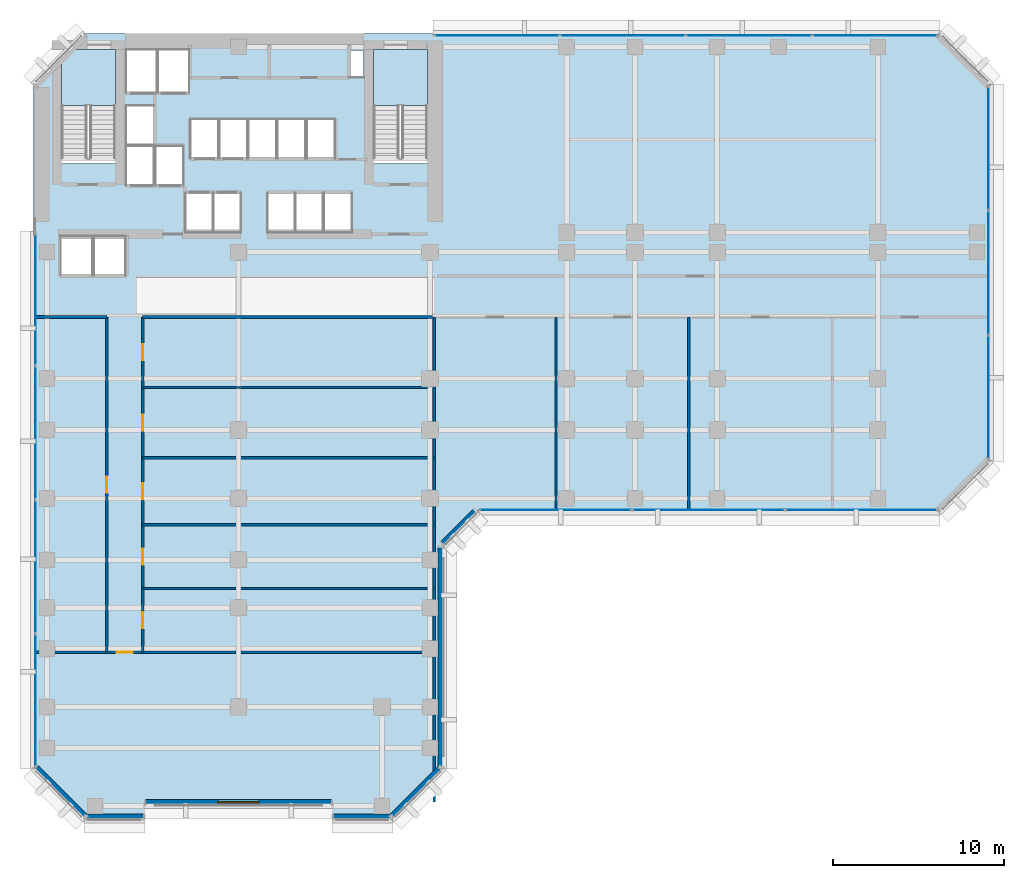
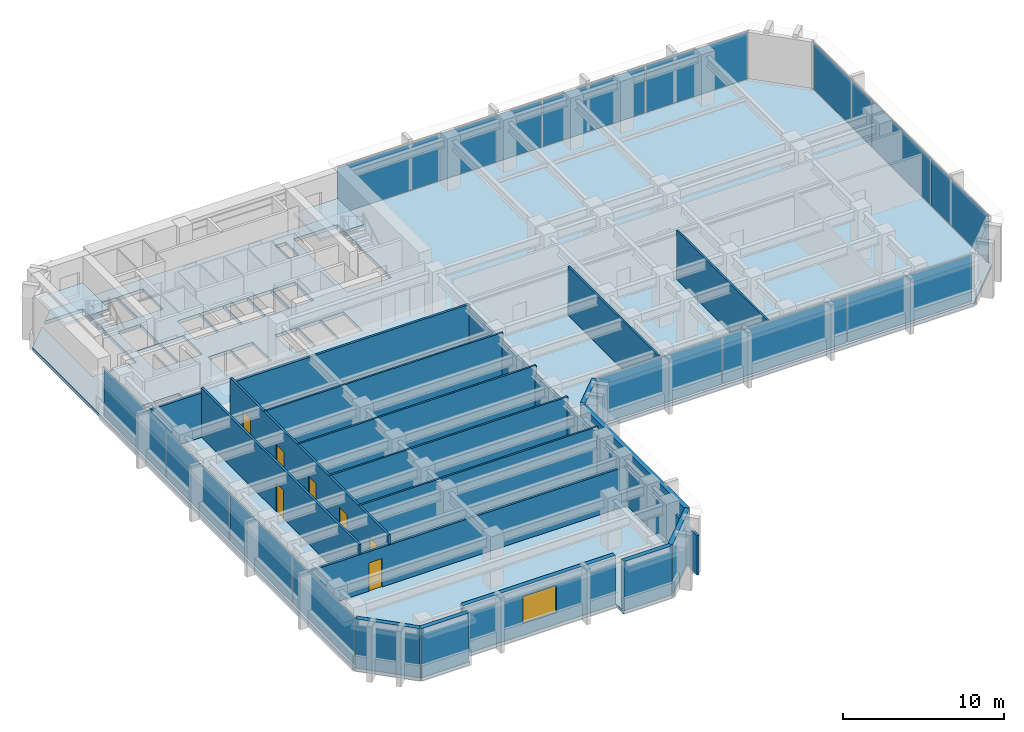
# One storey, part 6 of 13: 19 walls, 14 plates, 7 doors, 3 slabs, 1 window, 8 openings, 6 elements without a shape of their own.
"""IFC4 building model written with IfcOpenShell, lengths in metres."""

from ifc_helpers import new_model, si_unit, direction, frame, frame_2d, origin, origin_2d, place, context, subcontext, project, spatial, polyline, rectangle, outline, extrude, material, layer, layer_set, type_object, element, fill, aggregate, save


model = new_model("IFC4")

# Units and contexts
model_context = context("Model", 3, precision=1e-05, world=origin(), true_north=direction((0.0, 1.0)))
body_context = subcontext(model_context, "Body", "Model", "MODEL_VIEW")
ifc_project = project(units=[si_unit("LENGTHUNIT", "METRE"), si_unit("AREAUNIT", "SQUARE_METRE"), si_unit("VOLUMEUNIT", "CUBIC_METRE"), si_unit("PLANEANGLEUNIT", "RADIAN"), si_unit("MASSUNIT", "GRAM", prefix="KILO")], contexts=[model_context])

# Site, building, storey
site_placement = place(None, origin())
site = spatial("IfcSite", under=ifc_project, at=site_placement, CompositionType="ELEMENT")
building_placement = place(site_placement, origin())
building = spatial("IfcBuilding", under=site, at=building_placement, Name="Kefirva Bronze Tower", CompositionType="ELEMENT")
storey_placement = place(building_placement, frame((0.0, 0.0, 77.8798828125)))
storey = spatial("IfcBuildingStorey", under=building, at=storey_placement, Name="L18", CompositionType="ELEMENT", Elevation=77.8798828125)

# Stair, slab
ifc_material_1 = material(Name="Concrete C40/50", Category="concrete")
stair_type = type_object("IfcStairType", Name="RC Dogleg Protected Stair 24R", PredefinedType="HALF_TURN_STAIR", material=ifc_material_1)
stair_1_placement = place(storey_placement, origin())
stair_1 = element("IfcStair", 1, at=stair_1_placement, inside=storey, type_object=stair_type, Name="L18 Protected Exit Stair 1", PredefinedType="HALF_TURN_STAIR")
ifc_layer_1 = layer(ifc_material_1, 0.199951171875, Name="Concrete C40/50")
ifc_layer_set_1 = layer_set([ifc_layer_1], Name="Concrete C40/50")
slab_type_1 = type_object("IfcSlabType", Name="RC Stair Landing Slab 200mm", PredefinedType="LANDING", material=ifc_layer_set_1)
slab_1_placement = place(storey_placement, frame((0.0, 0.0, 1.780029296875)))
slab_1 = element("IfcSlab", 2, at=slab_1_placement, type_object=slab_type_1, Name="ST-1 landing 1", PredefinedType="LANDING", context=body_context, shape_type="SweptSolid", body=[
    extrude(outline(polyline([(4.800048828125, 41.780029296875), (4.800048828125, 45.050048828125), (1.64990234375, 45.050048828125), (1.64990234375, 41.780029296875), (4.800048828125, 41.780029296875)])), origin(), (0.0, 0.0, 1.0), 0.2001953125),
])
aggregate(stair_1, [slab_1])

stair_2_placement = place(storey_placement, origin())
stair_2 = element("IfcStair", 3, at=stair_2_placement, inside=storey, type_object=stair_type, Name="L18 Protected Exit Stair 2", PredefinedType="HALF_TURN_STAIR")
slab_2_placement = place(storey_placement, frame((0.0, 0.0, 1.780029296875)))
slab_2 = element("IfcSlab", 4, at=slab_2_placement, type_object=slab_type_1, Name="ST-2 landing 1", PredefinedType="LANDING", context=body_context, shape_type="SweptSolid", body=[
    extrude(outline(polyline([(23.050048828125, 41.780029296875), (23.050048828125, 45.050048828125), (19.89990234375, 45.050048828125), (19.89990234375, 41.780029296875), (23.050048828125, 41.780029296875)])), origin(), (0.0, 0.0, 1.0), 0.2001953125),
])
aggregate(stair_2, [slab_2])

# Slab
ifc_layer_2 = layer(ifc_material_1, 0.25, Name="Concrete C40/50")
ifc_layer_set_2 = layer_set([ifc_layer_2], Name="Concrete C40/50")
slab_type_2 = type_object("IfcSlabType", Name="RC Tower Floor Slab 250mm", PredefinedType="FLOOR", material=ifc_layer_set_2)
slab_3_placement = place(storey_placement, frame((0.0, 0.0, -0.25)))
element("IfcSlab", 5, at=slab_3_placement, inside=storey, type_object=slab_type_2, Name="L18 Structural Floor Slab", PredefinedType="FLOOR", context=body_context, shape_type="SweptSolid", body=[
    extrude(outline(polyline([(0.0, 3.0), (0.0, 43.0), (1.64990234375, 44.64990234375), (1.64990234375, 38.39990234375), (4.800048828125, 38.39990234375), (4.800048828125, 45.050048828125), (2.050048828125, 45.050048828125), (3.0, 46.0), (53.0, 46.0), (56.0, 43.0), (56.0, 21.0), (53.0, 18.0), (26.0, 18.0), (24.0, 16.0), (24.0, 3.0), (21.0, 0.0), (17.5, 0.0), (17.5, 0.85009765625), (6.5, 0.85009765625), (6.5, 0.0), (3.0, 0.0), (0.0, 3.0)]), holes=[polyline([(19.89990234375, 38.39990234375), (23.050048828125, 38.39990234375), (23.050048828125, 45.050048828125), (19.89990234375, 45.050048828125), (19.89990234375, 38.39990234375)]), polyline([(18.52001953125, 43.419921875), (19.320068359375, 43.419921875), (19.320068359375, 45.0), (18.52001953125, 45.0), (18.52001953125, 43.419921875)]), polyline([(17.0, 34.35009765625), (18.64990234375, 34.35009765625), (18.64990234375, 36.64990234375), (17.0, 36.64990234375), (17.0, 34.35009765625)]), polyline([(17.64990234375, 38.679931640625), (17.64990234375, 40.97998046875), (16.0, 40.97998046875), (16.0, 38.679931640625), (17.64990234375, 38.679931640625)]), polyline([(16.949951171875, 34.35009765625), (16.949951171875, 36.64990234375), (15.35009765625, 36.64990234375), (15.35009765625, 34.35009765625), (16.949951171875, 34.35009765625)]), polyline([(15.929931640625, 38.679931640625), (15.929931640625, 40.97998046875), (14.300048828125, 40.97998046875), (14.300048828125, 38.679931640625), (15.929931640625, 38.679931640625)]), polyline([(15.300048828125, 34.35009765625), (15.300048828125, 36.64990234375), (13.699951171875, 36.64990234375), (13.699951171875, 34.35009765625), (15.300048828125, 34.35009765625)]), polyline([(14.22998046875, 38.679931640625), (14.22998046875, 40.97998046875), (12.60009765625, 40.97998046875), (12.60009765625, 38.679931640625), (14.22998046875, 38.679931640625)]), polyline([(10.89990234375, 38.679931640625), (12.530029296875, 38.679931640625), (12.530029296875, 40.97998046875), (10.89990234375, 40.97998046875), (10.89990234375, 38.679931640625)]), polyline([(12.139892578125, 34.35009765625), (12.139892578125, 36.64990234375), (10.5400390625, 36.64990234375), (10.5400390625, 34.35009765625), (12.139892578125, 34.35009765625)]), polyline([(10.830078125, 38.679931640625), (10.830078125, 40.97998046875), (9.199951171875, 40.97998046875), (9.199951171875, 38.679931640625), (10.830078125, 38.679931640625)]), polyline([(10.5, 34.35009765625), (10.5, 36.64990234375), (8.89990234375, 36.64990234375), (8.89990234375, 34.35009765625), (10.5, 34.35009765625)]), polyline([(7.300048828125, 42.550048828125), (9.1201171875, 42.550048828125), (9.1201171875, 45.050048828125), (7.300048828125, 45.050048828125), (7.300048828125, 42.550048828125)]), polyline([(7.139892578125, 37.10009765625), (8.780029296875, 37.10009765625), (8.780029296875, 39.39990234375), (7.139892578125, 39.39990234375), (7.139892578125, 37.10009765625)]), polyline([(5.419921875, 42.550048828125), (7.239990234375, 42.550048828125), (7.239990234375, 45.050048828125), (5.419921875, 45.050048828125), (5.419921875, 42.550048828125)]), polyline([(7.06005859375, 39.47998046875), (7.06005859375, 41.780029296875), (5.419921875, 41.780029296875), (5.419921875, 39.47998046875), (7.06005859375, 39.47998046875)]), polyline([(5.419921875, 37.10009765625), (7.06005859375, 37.10009765625), (7.06005859375, 39.39990234375), (5.419921875, 39.39990234375), (5.419921875, 37.10009765625)]), polyline([(5.39990234375, 31.85009765625), (5.39990234375, 34.14990234375), (3.550048828125, 34.14990234375), (3.550048828125, 31.85009765625), (5.39990234375, 31.85009765625)]), polyline([(3.449951171875, 31.85009765625), (3.449951171875, 34.14990234375), (1.60009765625, 34.14990234375), (1.60009765625, 31.85009765625), (3.449951171875, 31.85009765625)])]), origin(), (0.0, 0.0, 1.0), 0.25),
])

# Curtain wall, plates
ifc_material_2 = material(Name="Bronze anodised aluminium", Category="aluminium")
ifc_layer_3 = layer(ifc_material_2, 0.199951171875, Name="Bronze anodised aluminium")
ifc_layer_set_3 = layer_set([ifc_layer_3], Name="Bronze anodised aluminium")
curtain_wall_type = type_object("IfcCurtainWallType", Name="Unitised Bronze Ribbon Curtain Wall Zone 1", PredefinedType="USERDEFINED", material=ifc_layer_set_3)
curtain_wall_1_placement = place(storey_placement, origin())
curtain_wall_1 = element("IfcCurtainWall", 6, at=curtain_wall_1_placement, inside=storey, type_object=curtain_wall_type, Name="L18 Curtain Wall 1", ObjectType="UNITISED CURTAIN WALL", PredefinedType="USERDEFINED")
ifc_material_3 = material(Name="Laminated low-E double glazing", Category="glass")
ifc_layer_4 = layer(ifc_material_3, 0.031982421875, Name="Laminated low-E double glazing")
ifc_layer_set_4 = layer_set([ifc_layer_4], Name="Laminated low-E double glazing")
plate_type = type_object("IfcPlateType", Name="Solar-Control Low-E Vision Panel 32mm", PredefinedType="CURTAIN_PANEL", material=ifc_layer_set_4)
plate_1_placement = place(storey_placement, frame((30.555419921875, 18.1201171875, 0.0751953125), z_axis=(0.0, 0.0, 1.0), x_axis=(1.0, 0.0, 0.0)))
plate_1 = element("IfcPlate", 7, at=plate_1_placement, type_object=plate_type, Name="CW-01 panel 1.1", PredefinedType="CURTAIN_PANEL", context=body_context, shape_type="SweptSolid", body=[
    extrude(rectangle(XDim=8.850830078125, YDim=0.031982421875, at=origin_2d()), origin(), (0.0, 0.0, 1.0), 3.56005859375),
])
plate_2_placement = place(storey_placement, frame((39.5, 18.1201171875, 0.0751953125), z_axis=(0.0, 0.0, 1.0), x_axis=(1.0, 0.0, 0.0)))
plate_2 = element("IfcPlate", 8, at=plate_2_placement, type_object=plate_type, Name="CW-01 panel 2.1", PredefinedType="CURTAIN_PANEL", context=body_context, shape_type="SweptSolid", body=[
    extrude(rectangle(XDim=8.888427734375, YDim=0.031982421875, at=origin_2d()), origin(), (0.0, 0.0, 1.0), 3.56005859375),
])
plate_3_placement = place(storey_placement, frame((48.444580078125, 18.1201171875, 0.0751953125), z_axis=(0.0, 0.0, 1.0), x_axis=(1.0, 0.0, 0.0)))
plate_3 = element("IfcPlate", 9, at=plate_3_placement, type_object=plate_type, Name="CW-01 panel 3.1", PredefinedType="CURTAIN_PANEL", context=body_context, shape_type="SweptSolid", body=[
    extrude(rectangle(XDim=8.850830078125, YDim=0.031982421875, at=origin_2d()), origin(), (0.0, 0.0, 1.0), 3.56005859375),
])
aggregate(curtain_wall_1, [plate_1, plate_2, plate_3])

curtain_wall_2_placement = place(storey_placement, origin())
curtain_wall_2 = element("IfcCurtainWall", 10, at=curtain_wall_2_placement, inside=storey, type_object=curtain_wall_type, Name="L18 Curtain Wall 2", ObjectType="UNITISED CURTAIN WALL", PredefinedType="USERDEFINED")
plate_4_placement = place(storey_placement, frame((55.8798828125, 24.72216796875, 0.0751953125), z_axis=(0.0, 0.0, 1.0), x_axis=(0.0, 1.0, 0.0)))
plate_4 = element("IfcPlate", 11, at=plate_4_placement, type_object=plate_type, Name="CW-01 panel 1.1", PredefinedType="CURTAIN_PANEL", context=body_context, shape_type="SweptSolid", body=[
    extrude(rectangle(XDim=7.18408203125, YDim=0.031982421875, at=origin_2d()), origin(), (0.0, 0.0, 1.0), 3.56005859375),
])
plate_5_placement = place(storey_placement, frame((55.8798828125, 32.0, 0.0751953125), z_axis=(0.0, 0.0, 1.0), x_axis=(0.0, 1.0, 0.0)))
plate_5 = element("IfcPlate", 12, at=plate_5_placement, type_object=plate_type, Name="CW-01 panel 2.1", PredefinedType="CURTAIN_PANEL", context=body_context, shape_type="SweptSolid", body=[
    extrude(rectangle(XDim=7.2216796875, YDim=0.031982421875, at=origin_2d()), origin(), (0.0, 0.0, 1.0), 3.56005859375),
])
plate_6_placement = place(storey_placement, frame((55.8798828125, 39.27783203125, 0.0751953125), z_axis=(0.0, 0.0, 1.0), x_axis=(0.0, 1.0, 0.0)))
plate_6 = element("IfcPlate", 13, at=plate_6_placement, type_object=plate_type, Name="CW-01 panel 3.1", PredefinedType="CURTAIN_PANEL", context=body_context, shape_type="SweptSolid", body=[
    extrude(rectangle(XDim=7.18408203125, YDim=0.031982421875, at=origin_2d()), origin(), (0.0, 0.0, 1.0), 3.56005859375),
])
aggregate(curtain_wall_2, [plate_4, plate_5, plate_6])

curtain_wall_3_placement = place(storey_placement, origin())
curtain_wall_3 = element("IfcCurtainWall", 14, at=curtain_wall_3_placement, inside=storey, type_object=curtain_wall_type, Name="L18 Curtain Wall 3", ObjectType="UNITISED CURTAIN WALL", PredefinedType="USERDEFINED")
plate_7_placement = place(storey_placement, frame((49.233642578125, 45.8798828125, 0.0751953125), z_axis=(0.0, 0.0, 1.0), x_axis=(-1.0, 0.0, 0.0)))
plate_7 = element("IfcPlate", 15, at=plate_7_placement, type_object=plate_type, Name="CW-01 panel 1.1", PredefinedType="CURTAIN_PANEL", context=body_context, shape_type="SweptSolid", body=[
    extrude(rectangle(XDim=7.2724609375, YDim=0.031982421875, at=origin_2d()), origin(), (0.0, 0.0, 1.0), 3.56005859375),
])
plate_8_placement = place(storey_placement, frame((41.867431640625, 45.8798828125, 0.0751953125), z_axis=(0.0, 0.0, 1.0), x_axis=(-1.0, 0.0, 0.0)))
plate_8 = element("IfcPlate", 16, at=plate_8_placement, type_object=plate_type, Name="CW-01 panel 2.1", PredefinedType="CURTAIN_PANEL", context=body_context, shape_type="SweptSolid", body=[
    extrude(rectangle(XDim=7.31005859375, YDim=0.031982421875, at=origin_2d()), origin(), (0.0, 0.0, 1.0), 3.56005859375),
])
plate_9_placement = place(storey_placement, frame((34.482421875, 45.8798828125, 0.0751953125), z_axis=(0.0, 0.0, 1.0), x_axis=(-1.0, 0.0, 0.0)))
plate_9 = element("IfcPlate", 17, at=plate_9_placement, type_object=plate_type, Name="CW-01 panel 3.1", PredefinedType="CURTAIN_PANEL", context=body_context, shape_type="SweptSolid", body=[
    extrude(rectangle(XDim=7.31005859375, YDim=0.031982421875, at=origin_2d()), origin(), (0.0, 0.0, 1.0), 3.56005859375),
])
plate_10_placement = place(storey_placement, frame((27.1162109375, 45.8798828125, 0.0751953125), z_axis=(0.0, 0.0, 1.0), x_axis=(-1.0, 0.0, 0.0)))
plate_10 = element("IfcPlate", 18, at=plate_10_placement, type_object=plate_type, Name="CW-01 panel 4.1", PredefinedType="CURTAIN_PANEL", context=body_context, shape_type="SweptSolid", body=[
    extrude(rectangle(XDim=7.2724609375, YDim=0.031982421875, at=origin_2d()), origin(), (0.0, 0.0, 1.0), 3.56005859375),
])
aggregate(curtain_wall_3, [plate_7, plate_8, plate_9, plate_10])

curtain_wall_4_placement = place(storey_placement, origin())
curtain_wall_4 = element("IfcCurtainWall", 19, at=curtain_wall_4_placement, inside=storey, type_object=curtain_wall_type, Name="L18 Curtain Wall 4", ObjectType="UNITISED CURTAIN WALL", PredefinedType="USERDEFINED")
plate_11_placement = place(storey_placement, frame((0.1201171875, 30.458740234375, 0.0751953125), z_axis=(0.0, 0.0, 1.0), x_axis=(0.0, -1.0, 0.0)))
plate_11 = element("IfcPlate", 20, at=plate_11_placement, type_object=plate_type, Name="CW-01 panel 1.1", PredefinedType="CURTAIN_PANEL", context=body_context, shape_type="SweptSolid", body=[
    extrude(rectangle(XDim=7.722412109375, YDim=0.031982421875, at=origin_2d()), origin(), (0.0, 0.0, 1.0), 3.56005859375),
])
plate_12_placement = place(storey_placement, frame((0.1201171875, 22.642578125, 0.0751953125), z_axis=(0.0, 0.0, 1.0), x_axis=(0.0, -1.0, 0.0)))
plate_12 = element("IfcPlate", 21, at=plate_12_placement, type_object=plate_type, Name="CW-01 panel 2.1", PredefinedType="CURTAIN_PANEL", context=body_context, shape_type="SweptSolid", body=[
    extrude(rectangle(XDim=7.760009765625, YDim=0.031982421875, at=origin_2d()), origin(), (0.0, 0.0, 1.0), 3.56005859375),
])
plate_13_placement = place(storey_placement, frame((0.1201171875, 14.8076171875, 0.0751953125), z_axis=(0.0, 0.0, 1.0), x_axis=(0.0, -1.0, 0.0)))
plate_13 = element("IfcPlate", 22, at=plate_13_placement, type_object=plate_type, Name="CW-01 panel 3.1", PredefinedType="CURTAIN_PANEL", context=body_context, shape_type="SweptSolid", body=[
    extrude(rectangle(XDim=7.760009765625, YDim=0.031982421875, at=origin_2d()), origin(), (0.0, 0.0, 1.0), 3.56005859375),
])
plate_14_placement = place(storey_placement, frame((0.1201171875, 6.9912109375, 0.0751953125), z_axis=(0.0, 0.0, 1.0), x_axis=(0.0, -1.0, 0.0)))
plate_14 = element("IfcPlate", 23, at=plate_14_placement, type_object=plate_type, Name="CW-01 panel 4.1", PredefinedType="CURTAIN_PANEL", context=body_context, shape_type="SweptSolid", body=[
    extrude(rectangle(XDim=7.722412109375, YDim=0.031982421875, at=origin_2d()), origin(), (0.0, 0.0, 1.0), 3.56005859375),
])
aggregate(curtain_wall_4, [plate_11, plate_12, plate_13, plate_14])

# Walls
ifc_material_4 = material(Name="Gypsum acoustic partition")
ifc_layer_5 = layer(ifc_material_4, 0.1298828125, Name="Gypsum acoustic partition")
ifc_layer_set_5 = layer_set([ifc_layer_5], Name="Gypsum acoustic partition")
wall_type_1 = type_object("IfcWallType", Name="Acoustic Office Partition 130mm", PredefinedType="PARTITIONING", material=ifc_layer_set_5)
for number, where, z_axis, x_axis, name in (
    (24, (6.39990234375, 13.52392578125, 0.0), (0.0, 0.0, 1.0), (1.0, 0.0, 0.0), "L18 Partition W-L18-SED1"),
    (25, (6.39990234375, 17.248046875, 0.0), (0.0, 0.0, 1.0), (1.0, 0.0, 0.0), "L18 Partition W-L18-SED2"),
    (26, (6.39990234375, 21.16796875, 0.0), (0.0, 0.0, 1.0), (1.0, 0.0, 0.0), "L18 Partition W-L18-SED3"),
    (27, (6.39990234375, 25.283935546875, 0.0), (0.0, 0.0, 1.0), (1.0, 0.0, 0.0), "L18 Partition W-L18-SED4"),
):
    element("IfcWall", number, at=place(storey_placement, frame(where, z_axis=z_axis, x_axis=x_axis)), inside=storey, type_object=wall_type_1, Name=name, PredefinedType="PARTITIONING", context=body_context, shape_type="SweptSolid", body=[
        extrude(rectangle(XDim=17.050048828125, YDim=0.1298828125, at=frame_2d((8.52490234375, 0.0))), origin(), (0.0, 0.0, 1.0), 3.710205078125),
    ])
for number, where, z_axis, x_axis, name in (
    (28, (30.569091796875, 18.18994140625, 0.0), (0.0, 0.0, 1.0), (0.0, 1.0, 0.0), "L18 Partition W-L18-ESD1"),
    (29, (38.335693359375, 18.18994140625, 0.0), (0.0, 0.0, 1.0), (0.0, 1.0, 0.0), "L18 Partition W-L18-ESD2"),
):
    element("IfcWall", number, at=place(storey_placement, frame(where, z_axis=z_axis, x_axis=x_axis)), inside=storey, type_object=wall_type_1, Name=name, PredefinedType="PARTITIONING", context=body_context, shape_type="SweptSolid", body=[
        extrude(rectangle(XDim=11.2099609375, YDim=0.1298828125, at=frame_2d((5.60498046875, 0.0))), origin(), (0.0, 0.0, 1.0), 3.710205078125),
    ])
ifc_material_5 = material(Name="Precast concrete C40/50", Category="concrete")
ifc_layer_6 = layer(ifc_material_5, 0.320068359375, Name="Precast concrete C40/50")
ifc_layer_set_6 = layer_set([ifc_layer_6], Name="Precast concrete C40/50")
wall_type_2 = type_object("IfcWallType", Name="Precast Insulated Exterior Wall 320mm", PredefinedType="SOLIDWALL", material=ifc_layer_set_6)
wall_1_placement = place(storey_placement, frame((3.054931640625, 0.159912109375, 0.0), z_axis=(0.0, 0.0, 1.0), x_axis=(1.0, 0.0, 0.0)))
element("IfcWall", 30, at=wall_1_placement, inside=storey, type_object=wall_type_2, Name="L18 Exterior Facade Wall 1", PredefinedType="SOLIDWALL", context=body_context, shape_type="SweptSolid", body=[
    extrude(rectangle(XDim=3.39013671875, YDim=0.320068359375, at=frame_2d((1.695068359375, 0.0))), origin(), (0.0, 0.0, 1.0), 3.710205078125),
])

# Wall, opening, window
wall_2_placement = place(storey_placement, frame((6.554931640625, 1.010009765625, 0.0), z_axis=(0.0, 0.0, 1.0), x_axis=(1.0, 0.0, 0.0)))
wall_2 = element("IfcWall", 31, at=wall_2_placement, inside=storey, type_object=wall_type_2, Name="L18 Exterior Facade Wall 2", PredefinedType="SOLIDWALL", context=body_context, shape_type="SweptSolid", body=[
    extrude(rectangle(XDim=10.89013671875, YDim=0.320068359375, at=frame_2d((5.445068359375, 0.0))), origin(), (0.0, 0.0, 1.0), 3.710205078125),
])
opening_1_placement = place(wall_2_placement, frame((4.2451171875, 0.0, 0.85009765625)))
opening_1 = element("IfcOpeningElement", 32, at=opening_1_placement, cuts=wall_2, Name="Opening WN-01", PredefinedType="OPENING", context=body_context, shape_type="SweptSolid", body=[
    extrude(rectangle(XDim=2.39990234375, YDim=2.050048828125, at=frame_2d((1.199951171875, 1.02490234375))), frame((0.0, 0.169921875, 0.0), z_axis=(0.0, -1.0, 0.0), x_axis=(1.0, 0.0, 0.0)), (0.0, 0.0, 1.0), 0.340087890625),
])
window_type = type_object("IfcWindowType", Name="Streamline Ribbon Window 2400x2050", PartitioningType="SINGLE_PANEL", PredefinedType="WINDOW", material=ifc_material_3)
window_placement = place(opening_1_placement, origin())
window = element("IfcWindow", 33, at=window_placement, inside=storey, type_object=window_type, Name="L18 Ribbon Window 2", OverallHeight=2.050048828125, OverallWidth=2.39990234375, PartitioningType="SINGLE_PANEL", PredefinedType="WINDOW", context=body_context, shape_type="SweptSolid", body=[
    extrude(rectangle(XDim=2.39990234375, YDim=2.050048828125, at=frame_2d((1.199951171875, 1.02490234375))), frame((0.0, 0.030029296875, 0.0), z_axis=(0.0, -1.0, 0.0), x_axis=(1.0, 0.0, 0.0)), (0.0, 0.0, 1.0), 0.06005859375),
])
fill(opening_1, window)

# Walls
wall_3_placement = place(storey_placement, frame((17.554931640625, 0.159912109375, 0.0), z_axis=(0.0, 0.0, 1.0), x_axis=(1.0, 0.0, 0.0)))
element("IfcWall", 34, at=wall_3_placement, inside=storey, type_object=wall_type_2, Name="L18 Exterior Facade Wall 3", PredefinedType="SOLIDWALL", context=body_context, shape_type="SweptSolid", body=[
    extrude(rectangle(XDim=3.39013671875, YDim=0.320068359375, at=frame_2d((1.695068359375, 0.0))), origin(), (0.0, 0.0, 1.0), 3.710205078125),
])
wall_4_placement = place(storey_placement, frame((20.92578125, 0.152099609375, 0.0), z_axis=(0.0, 0.0, 1.0), x_axis=(0.707106781187, 0.707106781187, 0.0)))
element("IfcWall", 35, at=wall_4_placement, inside=storey, type_object=wall_type_2, Name="L18 Exterior Facade Wall 4", PredefinedType="SOLIDWALL", context=body_context, shape_type="SweptSolid", body=[
    extrude(rectangle(XDim=4.132568359375, YDim=0.320068359375, at=frame_2d((2.06640625, 0.0))), origin(), (0.0, 0.0, 1.0), 3.710205078125),
])
wall_5_placement = place(storey_placement, frame((23.840087890625, 3.054931640625, 0.0), z_axis=(0.0, 0.0, 1.0), x_axis=(0.0, 1.0, 0.0)))
element("IfcWall", 36, at=wall_5_placement, inside=storey, type_object=wall_type_2, Name="L18 Exterior Facade Wall 5", PredefinedType="SOLIDWALL", context=body_context, shape_type="SweptSolid", body=[
    extrude(rectangle(XDim=12.89013671875, YDim=0.320068359375, at=frame_2d((6.445068359375, 0.0))), origin(), (0.0, 0.0, 1.0), 3.710205078125),
])
wall_6_placement = place(storey_placement, frame((23.92578125, 16.152099609375, 0.0), z_axis=(0.0, 0.0, 1.0), x_axis=(0.707106781187, 0.707106781187, 0.0)))
element("IfcWall", 37, at=wall_6_placement, inside=storey, type_object=wall_type_2, Name="L18 Exterior Facade Wall 6", PredefinedType="SOLIDWALL", context=body_context, shape_type="SweptSolid", body=[
    extrude(rectangle(XDim=2.71826171875, YDim=0.320068359375, at=frame_2d((1.359130859375, 0.0))), origin(), (0.0, 0.0, 1.0), 3.710205078125),
])
wall_7_placement = place(storey_placement, frame((0.152099609375, 3.07421875, 0.0), z_axis=(0.0, 0.0, 1.0), x_axis=(0.707106781187, -0.707106781187, 0.0)))
element("IfcWall", 38, at=wall_7_placement, inside=storey, type_object=wall_type_2, Name="L18 Exterior Facade Wall 10", PredefinedType="SOLIDWALL", context=body_context, shape_type="SweptSolid", body=[
    extrude(rectangle(XDim=4.132568359375, YDim=0.320068359375, at=frame_2d((2.06640625, 0.0))), origin(), (0.0, 0.0, 1.0), 3.710205078125),
])

# Wall, opening, door
ifc_layer_7 = layer(ifc_material_4, 0.159912109375, Name="Gypsum acoustic partition")
ifc_layer_set_7 = layer_set([ifc_layer_7], Name="Gypsum acoustic partition")
wall_type_3 = type_object("IfcWallType", Name="Protected Corridor Partition 160mm", PredefinedType="PARTITIONING", material=ifc_layer_set_7)
wall_8_placement = place(storey_placement, frame((4.300048828125, 9.800048828125, 0.0), z_axis=(0.0, 0.0, 1.0), x_axis=(0.0, 1.0, 0.0)))
wall_8 = element("IfcWall", 39, at=wall_8_placement, inside=storey, type_object=wall_type_3, Name="L18 Partition W-L18-SWCORW", PredefinedType="PARTITIONING", context=body_context, shape_type="SweptSolid", body=[
    extrude(rectangle(XDim=19.599853515625, YDim=0.159912109375, at=frame_2d((9.7998046875, 0.0))), origin(), (0.0, 0.0, 1.0), 3.710205078125),
])
opening_2_placement = place(wall_8_placement, frame((10.27490234375, 0.0, 0.0), z_axis=(0.0, 0.0, 1.0), x_axis=(-1.0, 0.0, 0.0)))
opening_2 = element("IfcOpeningElement", 40, at=opening_2_placement, cuts=wall_8, Name="Opening L18-D-SW1", PredefinedType="OPENING", context=body_context, shape_type="SweptSolid", body=[
    extrude(rectangle(XDim=0.949951171875, YDim=2.14990234375, at=frame_2d((0.47509765625, 1.074951171875))), frame((0.0, 0.08984375, 0.0), z_axis=(0.0, -1.0, 0.0), x_axis=(1.0, 0.0, 0.0)), (0.0, 0.0, 1.0), 0.179931640625),
])
ifc_material_6 = material(Name="Acoustic hardwood oak", Category="wood")
door_type = type_object("IfcDoorType", Name="Office & Meeting Room Door 950x2150", OperationType="NOTDEFINED", PredefinedType="DOOR", material=ifc_material_6)
door_1_placement = place(opening_2_placement, origin())
door_1 = element("IfcDoor", 41, at=door_1_placement, inside=storey, type_object=door_type, Name="Door L18-D-SW1", OperationType="SINGLE_SWING_RIGHT", OverallHeight=2.14990234375, OverallWidth=0.949951171875, PredefinedType="DOOR", context=body_context, shape_type="SweptSolid", body=[
    extrude(rectangle(XDim=0.949951171875, YDim=2.14990234375, at=frame_2d((0.47509765625, 1.074951171875))), frame((0.0, 0.02490234375, 0.0), z_axis=(0.0, -1.0, 0.0), x_axis=(1.0, 0.0, 0.0)), (0.0, 0.0, 1.0), 0.050048828125),
])
fill(opening_2, door_1)

# Wall, openings, doors
wall_9_placement = place(storey_placement, frame((6.39990234375, 9.800048828125, 0.0), z_axis=(0.0, 0.0, 1.0), x_axis=(0.0, 1.0, 0.0)))
wall_9 = element("IfcWall", 42, at=wall_9_placement, inside=storey, type_object=wall_type_3, Name="L18 Partition W-L18-SECORE", PredefinedType="PARTITIONING", context=body_context, shape_type="SweptSolid", body=[
    extrude(rectangle(XDim=19.599853515625, YDim=0.159912109375, at=frame_2d((9.7998046875, 0.0))), origin(), (0.0, 0.0, 1.0), 3.710205078125),
])
opening_3_placement = place(wall_9_placement, frame((1.386962890625, 0.0, 0.0)))
opening_3 = element("IfcOpeningElement", 43, at=opening_3_placement, cuts=wall_9, Name="Opening L18-D-SE1", PredefinedType="OPENING", context=body_context, shape_type="SweptSolid", body=[
    extrude(rectangle(XDim=0.949951171875, YDim=2.14990234375, at=frame_2d((0.47509765625, 1.074951171875))), frame((0.0, 0.08984375, 0.0), z_axis=(0.0, -1.0, 0.0), x_axis=(1.0, 0.0, 0.0)), (0.0, 0.0, 1.0), 0.179931640625),
])
opening_4_placement = place(wall_9_placement, frame((5.111083984375, 0.0, 0.0)))
opening_4 = element("IfcOpeningElement", 44, at=opening_4_placement, cuts=wall_9, Name="Opening L18-D-SE2", PredefinedType="OPENING", context=body_context, shape_type="SweptSolid", body=[
    extrude(rectangle(XDim=0.949951171875, YDim=2.14990234375, at=frame_2d((0.47509765625, 1.074951171875))), frame((0.0, 0.08984375, 0.0), z_axis=(0.0, -1.0, 0.0), x_axis=(1.0, 0.0, 0.0)), (0.0, 0.0, 1.0), 0.179931640625),
])
opening_5_placement = place(wall_9_placement, frame((8.93310546875, 0.0, 0.0)))
opening_5 = element("IfcOpeningElement", 45, at=opening_5_placement, cuts=wall_9, Name="Opening L18-D-SE3", PredefinedType="OPENING", context=body_context, shape_type="SweptSolid", body=[
    extrude(rectangle(XDim=0.949951171875, YDim=2.14990234375, at=frame_2d((0.47509765625, 1.074951171875))), frame((0.0, 0.08984375, 0.0), z_axis=(0.0, -1.0, 0.0), x_axis=(1.0, 0.0, 0.0)), (0.0, 0.0, 1.0), 0.179931640625),
])
opening_6_placement = place(wall_9_placement, frame((12.950927734375, 0.0, 0.0)))
opening_6 = element("IfcOpeningElement", 46, at=opening_6_placement, cuts=wall_9, Name="Opening L18-D-SE4", PredefinedType="OPENING", context=body_context, shape_type="SweptSolid", body=[
    extrude(rectangle(XDim=0.949951171875, YDim=2.14990234375, at=frame_2d((0.47509765625, 1.074951171875))), frame((0.0, 0.08984375, 0.0), z_axis=(0.0, -1.0, 0.0), x_axis=(1.0, 0.0, 0.0)), (0.0, 0.0, 1.0), 0.179931640625),
])
opening_7_placement = place(wall_9_placement, frame((17.06689453125, 0.0, 0.0)))
opening_7 = element("IfcOpeningElement", 47, at=opening_7_placement, cuts=wall_9, Name="Opening L18-D-SE5", PredefinedType="OPENING", context=body_context, shape_type="SweptSolid", body=[
    extrude(rectangle(XDim=0.949951171875, YDim=2.14990234375, at=frame_2d((0.47509765625, 1.074951171875))), frame((0.0, 0.08984375, 0.0), z_axis=(0.0, -1.0, 0.0), x_axis=(1.0, 0.0, 0.0)), (0.0, 0.0, 1.0), 0.179931640625),
])
door_2_placement = place(opening_3_placement, origin())
door_2 = element("IfcDoor", 48, at=door_2_placement, inside=storey, type_object=door_type, Name="Door L18-D-SE1", OperationType="SINGLE_SWING_LEFT", OverallHeight=2.14990234375, OverallWidth=0.949951171875, PredefinedType="DOOR", context=body_context, shape_type="SweptSolid", body=[
    extrude(rectangle(XDim=0.949951171875, YDim=2.14990234375, at=frame_2d((0.47509765625, 1.074951171875))), frame((0.0, 0.02490234375, 0.0), z_axis=(0.0, -1.0, 0.0), x_axis=(1.0, 0.0, 0.0)), (0.0, 0.0, 1.0), 0.050048828125),
])
fill(opening_3, door_2)
door_3_placement = place(opening_4_placement, origin())
door_3 = element("IfcDoor", 49, at=door_3_placement, inside=storey, type_object=door_type, Name="Door L18-D-SE2", OperationType="SINGLE_SWING_RIGHT", OverallHeight=2.14990234375, OverallWidth=0.949951171875, PredefinedType="DOOR", context=body_context, shape_type="SweptSolid", body=[
    extrude(rectangle(XDim=0.949951171875, YDim=2.14990234375, at=frame_2d((0.47509765625, 1.074951171875))), frame((0.0, 0.02490234375, 0.0), z_axis=(0.0, -1.0, 0.0), x_axis=(1.0, 0.0, 0.0)), (0.0, 0.0, 1.0), 0.050048828125),
])
fill(opening_4, door_3)
door_4_placement = place(opening_5_placement, origin())
door_4 = element("IfcDoor", 50, at=door_4_placement, inside=storey, type_object=door_type, Name="Door L18-D-SE3", OperationType="SINGLE_SWING_LEFT", OverallHeight=2.14990234375, OverallWidth=0.949951171875, PredefinedType="DOOR", context=body_context, shape_type="SweptSolid", body=[
    extrude(rectangle(XDim=0.949951171875, YDim=2.14990234375, at=frame_2d((0.47509765625, 1.074951171875))), frame((0.0, 0.02490234375, 0.0), z_axis=(0.0, -1.0, 0.0), x_axis=(1.0, 0.0, 0.0)), (0.0, 0.0, 1.0), 0.050048828125),
])
fill(opening_5, door_4)
door_5_placement = place(opening_6_placement, origin())
door_5 = element("IfcDoor", 51, at=door_5_placement, inside=storey, type_object=door_type, Name="Door L18-D-SE4", OperationType="SINGLE_SWING_RIGHT", OverallHeight=2.14990234375, OverallWidth=0.949951171875, PredefinedType="DOOR", context=body_context, shape_type="SweptSolid", body=[
    extrude(rectangle(XDim=0.949951171875, YDim=2.14990234375, at=frame_2d((0.47509765625, 1.074951171875))), frame((0.0, 0.02490234375, 0.0), z_axis=(0.0, -1.0, 0.0), x_axis=(1.0, 0.0, 0.0)), (0.0, 0.0, 1.0), 0.050048828125),
])
fill(opening_6, door_5)
door_6_placement = place(opening_7_placement, origin())
door_6 = element("IfcDoor", 52, at=door_6_placement, inside=storey, type_object=door_type, Name="Door L18-D-SE5", OperationType="SINGLE_SWING_LEFT", OverallHeight=2.14990234375, OverallWidth=0.949951171875, PredefinedType="DOOR", context=body_context, shape_type="SweptSolid", body=[
    extrude(rectangle(XDim=0.949951171875, YDim=2.14990234375, at=frame_2d((0.47509765625, 1.074951171875))), frame((0.0, 0.02490234375, 0.0), z_axis=(0.0, -1.0, 0.0), x_axis=(1.0, 0.0, 0.0)), (0.0, 0.0, 1.0), 0.050048828125),
])
fill(opening_7, door_6)

# Wall, opening, door
wall_10_placement = place(storey_placement, frame((0.18994140625, 9.800048828125, 0.0), z_axis=(0.0, 0.0, 1.0), x_axis=(1.0, 0.0, 0.0)))
wall_10 = element("IfcWall", 53, at=wall_10_placement, inside=storey, type_object=wall_type_3, Name="L18 Partition W-L18-SBEND", PredefinedType="PARTITIONING", context=body_context, shape_type="SweptSolid", body=[
    extrude(rectangle(XDim=23.260009765625, YDim=0.159912109375, at=frame_2d((11.6298828125, 0.0))), origin(), (0.0, 0.0, 1.0), 2.9951171875),
])
opening_8_placement = place(wall_10_placement, frame((4.68994140625, 0.0, 0.0)))
opening_8 = element("IfcOpeningElement", 54, at=opening_8_placement, cuts=wall_10, Name="Opening L18-D-SEND1", PredefinedType="OPENING", context=body_context, shape_type="SweptSolid", body=[
    extrude(rectangle(XDim=0.949951171875, YDim=2.14990234375, at=frame_2d((0.47509765625, 1.074951171875))), frame((0.0, 0.08984375, 0.0), z_axis=(0.0, -1.0, 0.0), x_axis=(1.0, 0.0, 0.0)), (0.0, 0.0, 1.0), 0.179931640625),
])
door_7_placement = place(opening_8_placement, origin())
door_7 = element("IfcDoor", 55, at=door_7_placement, inside=storey, type_object=door_type, Name="Door L18-D-SEND1", OperationType="SINGLE_SWING_LEFT", OverallHeight=2.14990234375, OverallWidth=0.949951171875, PredefinedType="DOOR", context=body_context, shape_type="SweptSolid", body=[
    extrude(rectangle(XDim=0.949951171875, YDim=2.14990234375, at=frame_2d((0.47509765625, 1.074951171875))), frame((0.0, 0.02490234375, 0.0), z_axis=(0.0, -1.0, 0.0), x_axis=(1.0, 0.0, 0.0)), (0.0, 0.0, 1.0), 0.050048828125),
])
fill(opening_8, door_7)

# Walls
wall_11_placement = place(storey_placement, frame((0.18994140625, 29.39990234375, 0.0), z_axis=(0.0, 0.0, 1.0), x_axis=(1.0, 0.0, 0.0)))
element("IfcWall", 56, at=wall_11_placement, inside=storey, type_object=wall_type_3, Name="L18 Partition W-L18-NWT", PredefinedType="PARTITIONING", context=body_context, shape_type="SweptSolid", body=[
    extrude(rectangle(XDim=4.110107421875, YDim=0.159912109375, at=frame_2d((2.05517578125, 0.0))), origin(), (0.0, 0.0, 1.0), 3.365234375),
])
wall_12_placement = place(storey_placement, frame((6.39990234375, 29.39990234375, 0.0), z_axis=(0.0, 0.0, 1.0), x_axis=(1.0, 0.0, 0.0)))
element("IfcWall", 57, at=wall_12_placement, inside=storey, type_object=wall_type_3, Name="L18 Partition W-L18-NET", PredefinedType="PARTITIONING", context=body_context, shape_type="SweptSolid", body=[
    extrude(rectangle(XDim=17.050048828125, YDim=0.159912109375, at=frame_2d((8.52490234375, 0.0))), origin(), (0.0, 0.0, 1.0), 3.365234375),
])
wall_13_placement = place(storey_placement, frame((23.449951171875, 1.0400390625, 0.0), z_axis=(0.0, 0.0, 1.0), x_axis=(0.0, 1.0, 0.0)))
element("IfcWall", 58, at=wall_13_placement, inside=storey, type_object=wall_type_3, Name="L18 Partition W-L18-SWEAST", PredefinedType="PARTITIONING", context=body_context, shape_type="SweptSolid", body=[
    extrude(rectangle(XDim=28.35986328125, YDim=0.159912109375, at=frame_2d((14.179931640625, 0.0))), origin(), (0.0, 0.0, 1.0), 2.9951171875),
])

save(model, "model.ifc")
